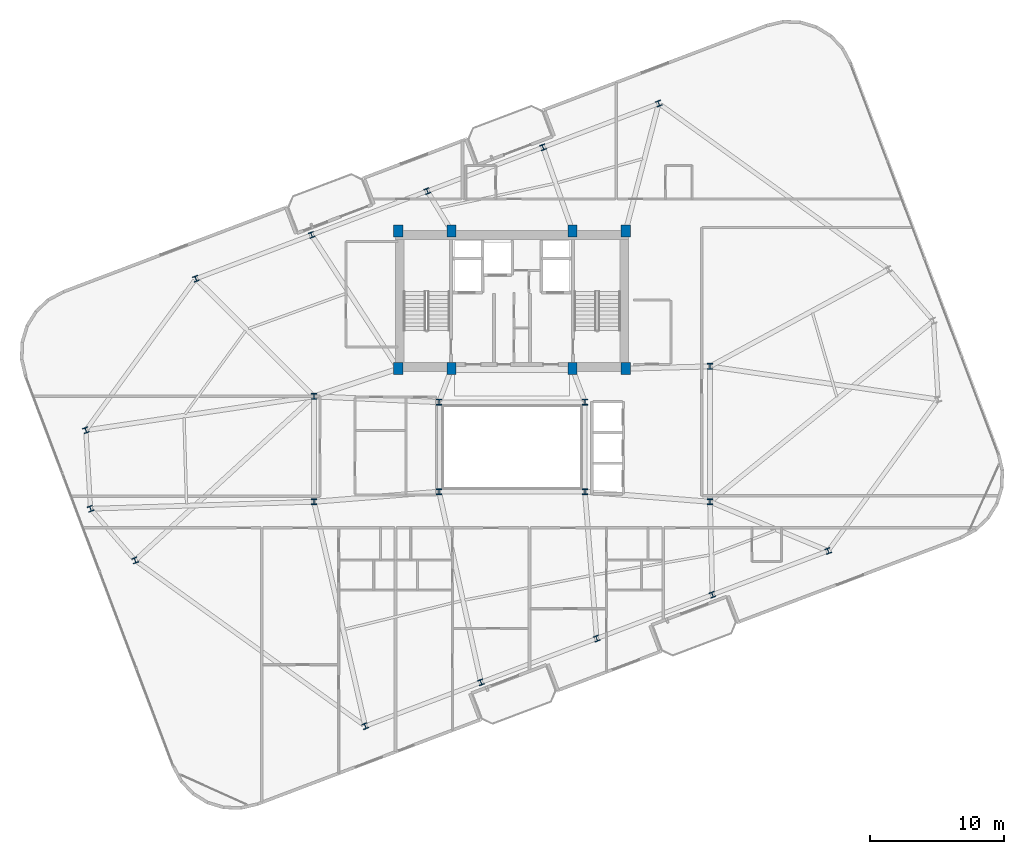
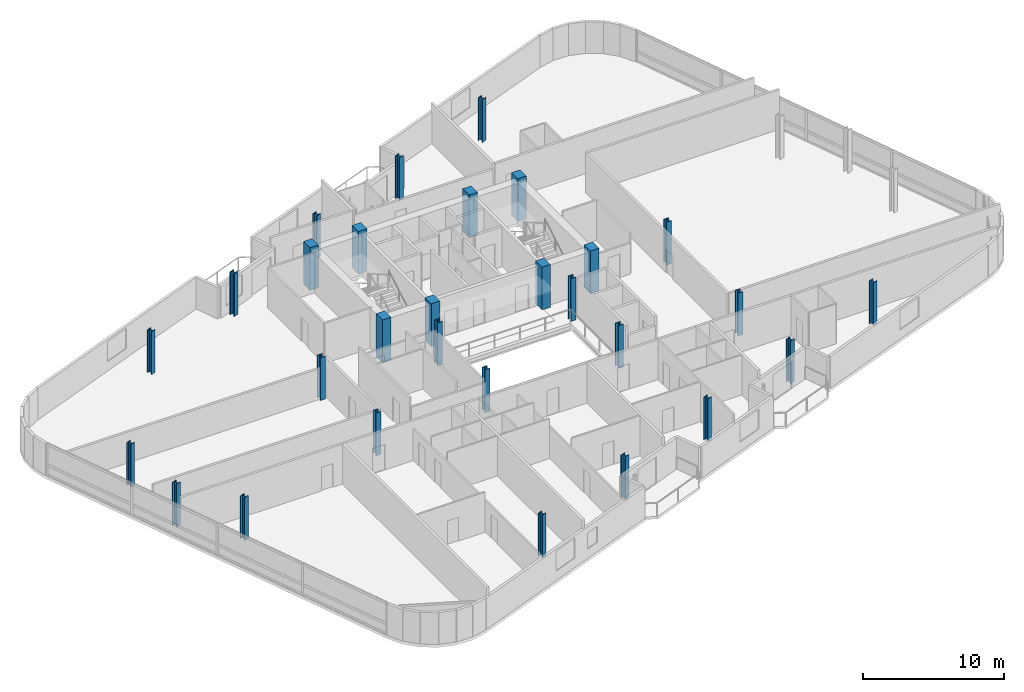
# One storey, part 1 of 24: 29 columns.
"""IFC4 building model written with IfcOpenShell, lengths in metres."""

from ifc_helpers import new_model, si_unit, direction, frame, origin, origin_2d, place, context, subcontext, project, spatial, rectangle, i_section, extrude, material, material_profile, profile_set, type_object, element, save


model = new_model("IFC4")

# Units and contexts
model_context = context("Model", 3, precision=1e-05, world=origin(), true_north=direction((0.0, 1.0)))
body_context = subcontext(model_context, "Body", "Model", "MODEL_VIEW")
ifc_project = project(units=[si_unit("LENGTHUNIT", "METRE"), si_unit("AREAUNIT", "SQUARE_METRE"), si_unit("VOLUMEUNIT", "CUBIC_METRE"), si_unit("PLANEANGLEUNIT", "RADIAN"), si_unit("MASSUNIT", "GRAM", prefix="KILO")], contexts=[model_context])

# Site, building, storey
site_placement = place(None, origin())
site = spatial("IfcSite", under=ifc_project, at=site_placement, CompositionType="ELEMENT")
building_placement = place(site_placement, origin())
building = spatial("IfcBuilding", under=site, at=building_placement, Name="Varnelok Gate Tower", CompositionType="ELEMENT")
storey_placement = place(building_placement, frame((0.0, 0.0, 212.699951171875)))
storey = spatial("IfcBuildingStorey", under=building, at=storey_placement, Name="L54", CompositionType="ELEMENT", Elevation=212.699951171875)

# Columns
ifc_material_1 = material(Name="Concrete C60/75", Category="concrete")
ifc_material_profile_1 = material_profile(ifc_material_1, rectangle(XDim=0.699951171875, YDim=0.89990234375, at=origin_2d()), Name="RC900X700")
ifc_profile_set_1 = profile_set([ifc_material_profile_1], Name="Concrete C60/75")
column_type_1 = type_object("IfcColumnType", Name="COL-RC900X700", PredefinedType="COLUMN", material=ifc_profile_set_1)
for number, where, z_axis, x_axis, name in (
    (1, (30.699951171875, 28.75, 0.0), (0.0, 0.0, 1.0), (1.0, 0.0, 0.0), "L54 Core Spine Column SC1"),
    (2, (34.679931640625, 28.75, 0.0), (0.0, 0.0, 1.0), (1.0, 0.0, 0.0), "L54 Core Spine Column SC2"),
    (3, (43.719970703125, 28.75, 0.0), (0.0, 0.0, 1.0), (1.0, 0.0, 0.0), "L54 Core Spine Column SC3"),
    (4, (47.699951171875, 28.75, 0.0), (0.0, 0.0, 1.0), (1.0, 0.0, 0.0), "L54 Core Spine Column SC4"),
    (5, (30.699951171875, 39.050048828125, 0.0), (0.0, 0.0, 1.0), (1.0, 0.0, 0.0), "L54 Core Spine Column SC5"),
    (6, (34.679931640625, 39.050048828125, 0.0), (0.0, 0.0, 1.0), (1.0, 0.0, 0.0), "L54 Core Spine Column SC6"),
    (7, (43.719970703125, 39.050048828125, 0.0), (0.0, 0.0, 1.0), (1.0, 0.0, 0.0), "L54 Core Spine Column SC7"),
    (8, (47.699951171875, 39.050048828125, 0.0), (0.0, 0.0, 1.0), (1.0, 0.0, 0.0), "L54 Core Spine Column SC8"),
):
    element("IfcColumn", number, at=place(storey_placement, frame(where, z_axis=z_axis, x_axis=x_axis)), inside=storey, type_object=column_type_1, Name=name, PredefinedType="COLUMN", context=body_context, shape_type="SweptSolid", body=[
        extrude(rectangle(XDim=0.699951171875, YDim=0.89990234375, at=origin_2d()), origin(), (0.0, 0.0, 1.0), 3.699951171875),
    ])
ifc_material_2 = material(Name="Structural Steel ASTM A992 Grade 50", Category="steel")
ifc_material_profile_2 = material_profile(ifc_material_2, i_section(OverallWidth=0.406005859375, OverallDepth=0.416015625, WebThickness=0.02978515625, FlangeThickness=0.048095703125, FilletRadius=0.02490234375, at=origin_2d()), Name="W14X257")
ifc_profile_set_2 = profile_set([ifc_material_profile_2], Name="Structural Steel ASTM A992 Grade 50")
column_type_2 = type_object("IfcColumnType", Name="COL-W14X257", PredefinedType="COLUMN", material=ifc_profile_set_2)
for number, where, z_axis, x_axis, name in (
    (9, (28.22900390625, 2.028076171875, 0.0), (0.0, 0.0, 1.0), (0.935221751401, 0.354062530786, 0.0), "L54 B5 Perimeter Column PC01"),
    (10, (36.8798828125, 5.30322265625, 0.0), (0.0, 0.0, 1.0), (0.935221751401, 0.354062530786, 0.0), "L54 B5 Perimeter Column PC02"),
    (11, (45.530517578125, 8.578125, 0.0), (0.0, 0.0, 1.0), (0.935221751401, 0.354062530786, 0.0), "L54 B5 Perimeter Column PC03"),
    (12, (54.181396484375, 11.853271484375, 0.0), (0.0, 0.0, 1.0), (0.935221751401, 0.354062530786, 0.0), "L54 B5 Perimeter Column PC04"),
    (13, (62.832275390625, 15.12841796875, 0.0), (0.0, 0.0, 1.0), (0.935221751401, 0.354062530786, 0.0), "L54 B5 Perimeter Column PC05"),
    (14, (50.1708984375, 48.572021484375, 0.0), (0.0, 0.0, 1.0), (0.935221751401, 0.354062530786, 0.0), "L54 B5 Perimeter Column PC09"),
    (15, (41.520263671875, 45.296875, 0.0), (0.0, 0.0, 1.0), (0.935221751401, 0.354062530786, 0.0), "L54 B5 Perimeter Column PC10"),
    (16, (32.869384765625, 42.021728515625, 0.0), (0.0, 0.0, 1.0), (0.935221751401, 0.354062530786, 0.0), "L54 B5 Perimeter Column PC11"),
    (17, (24.218505859375, 38.74658203125, 0.0), (0.0, 0.0, 1.0), (0.935221751401, 0.354062530786, 0.0), "L54 B5 Perimeter Column PC12"),
    (18, (15.56787109375, 35.4716796875, 0.0), (0.0, 0.0, 1.0), (0.935221751401, 0.354062530786, 0.0), "L54 B5 Perimeter Column PC13"),
    (19, (7.344970703125, 24.146484375, 0.0), (0.0, 0.0, 1.0), (0.935221751401, 0.354062530786, 0.0), "L54 B5 Perimeter Column PC14"),
    (20, (7.694580078125, 18.280517578125, 0.0), (0.0, 0.0, 1.0), (0.935221751401, 0.354062530786, 0.0), "L54 B5 Perimeter Column PC15"),
    (21, (11.027099609375, 14.42041015625, 0.0), (0.0, 0.0, 1.0), (0.935221751401, 0.354062530786, 0.0), "L54 B5 Perimeter Column PC16"),
):
    element("IfcColumn", number, at=place(storey_placement, frame(where, z_axis=z_axis, x_axis=x_axis)), inside=storey, type_object=column_type_2, Name=name, PredefinedType="COLUMN", context=body_context, shape_type="SweptSolid", body=[
        extrude(i_section(OverallWidth=0.406005859375, OverallDepth=0.416015625, WebThickness=0.02978515625, FlangeThickness=0.048095703125, FilletRadius=0.02490234375, at=origin_2d()), origin(), (0.0, 0.0, 1.0), 3.699951171875),
    ])
ifc_material_profile_3 = material_profile(ifc_material_2, i_section(OverallWidth=0.412109375, OverallDepth=0.43505859375, WebThickness=0.035888671875, FlangeThickness=0.057373046875, FilletRadius=0.02490234375, at=origin_2d()), Name="W14X311")
ifc_profile_set_3 = profile_set([ifc_material_profile_3], Name="Structural Steel ASTM A992 Grade 50")
column_type_3 = type_object("IfcColumnType", Name="COL-W14X311", PredefinedType="COLUMN", material=ifc_profile_set_3)
for number, where, z_axis, x_axis, name in (
    (22, (33.75, 19.550048828125, 0.0), (0.0, 0.0, 1.0), (1.0, 0.0, 0.0), "L54 Atrium Spine Column AC1"),
    (23, (44.64990234375, 19.550048828125, 0.0), (0.0, 0.0, 1.0), (1.0, 0.0, 0.0), "L54 Atrium Spine Column AC2"),
    (24, (33.75, 26.25, 0.0), (0.0, 0.0, 1.0), (1.0, 0.0, 0.0), "L54 Atrium Spine Column AC3"),
    (25, (44.64990234375, 26.25, 0.0), (0.0, 0.0, 1.0), (1.0, 0.0, 0.0), "L54 Atrium Spine Column AC4"),
    (26, (24.39990234375, 18.800048828125, 0.0), (0.0, 0.0, 1.0), (1.0, 0.0, 0.0), "L54 Wing Spine Column WS1"),
    (27, (24.39990234375, 26.679931640625, 0.0), (0.0, 0.0, 1.0), (1.0, 0.0, 0.0), "L54 Wing Spine Column WS2"),
    (28, (54.0, 18.800048828125, 0.0), (0.0, 0.0, 1.0), (1.0, 0.0, 0.0), "L54 Wing Spine Column ES1"),
    (29, (54.0, 28.919921875, 0.0), (0.0, 0.0, 1.0), (1.0, 0.0, 0.0), "L54 Wing Spine Column ES2"),
):
    element("IfcColumn", number, at=place(storey_placement, frame(where, z_axis=z_axis, x_axis=x_axis)), inside=storey, type_object=column_type_3, Name=name, PredefinedType="COLUMN", context=body_context, shape_type="SweptSolid", body=[
        extrude(i_section(OverallWidth=0.412109375, OverallDepth=0.43505859375, WebThickness=0.035888671875, FlangeThickness=0.057373046875, FilletRadius=0.02490234375, at=origin_2d()), origin(), (0.0, 0.0, 1.0), 3.699951171875),
    ])

save(model, "model.ifc")
